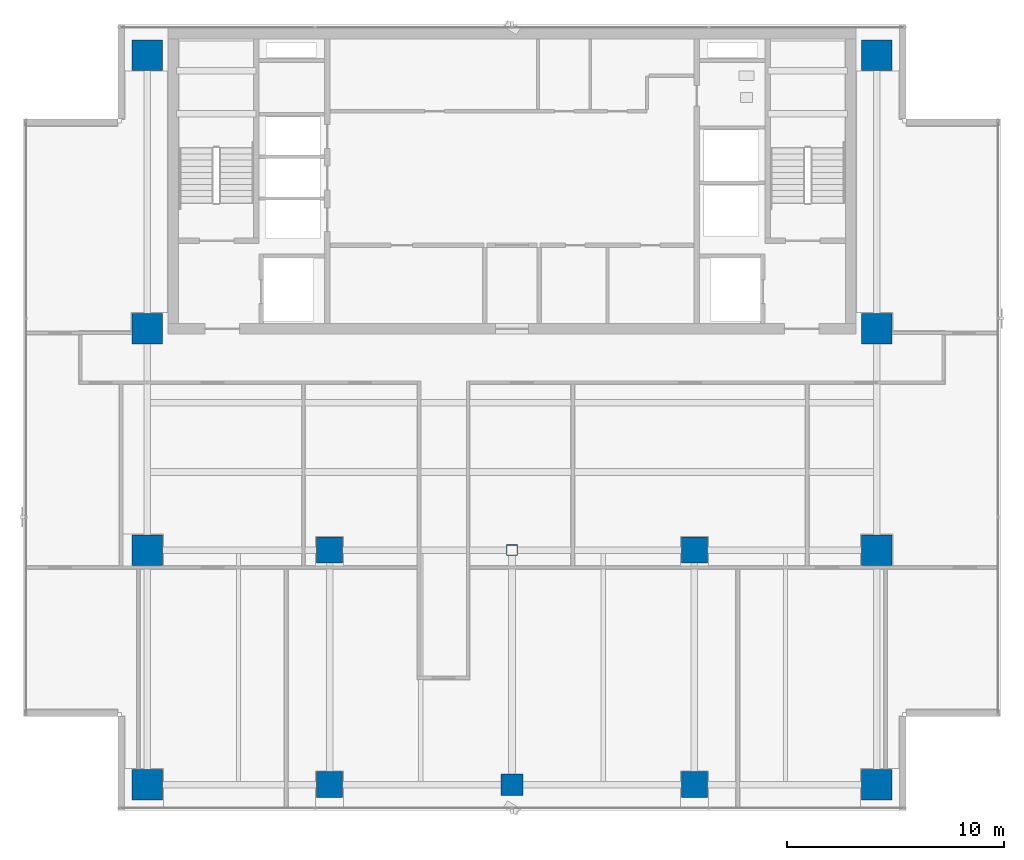
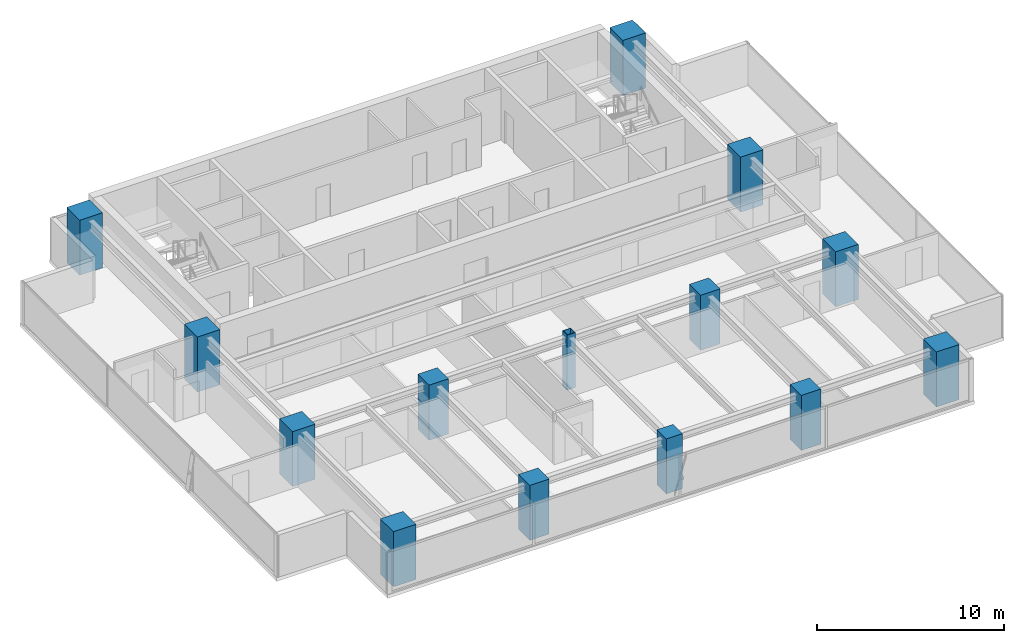
# One storey, part 1 of 25: 14 columns.
"""IFC4 building model written with IfcOpenShell, lengths in metres."""

from ifc_helpers import new_model, si_unit, direction, frame, origin, origin_with_axes, origin_2d, place, context, subcontext, project, spatial, rectangle, hollow_rectangle, extrude, source, transform, mapped, material, material_profile, profile_set, type_object, element, save


model = new_model("IFC4")

# Units and contexts
model_context = context("Model", 3, precision=1e-05, world=origin(), true_north=direction((0.0, 1.0)))
body_context = subcontext(model_context, "Body", "Model", "MODEL_VIEW")
ifc_project = project(units=[si_unit("LENGTHUNIT", "METRE"), si_unit("AREAUNIT", "SQUARE_METRE"), si_unit("VOLUMEUNIT", "CUBIC_METRE"), si_unit("PLANEANGLEUNIT", "RADIAN"), si_unit("MASSUNIT", "GRAM", prefix="KILO")], contexts=[model_context])

# Site, building, storey
site_placement = place(None, origin())
site = spatial("IfcSite", under=ifc_project, at=site_placement, CompositionType="ELEMENT")
building_placement = place(site_placement, origin())
building = spatial("IfcBuilding", under=site, at=building_placement, Name="Sumidabori Civic Tower", CompositionType="ELEMENT")
storey_placement = place(building_placement, frame((0.0, 0.0, 246.800048828125)))
storey = spatial("IfcBuildingStorey", under=building, at=storey_placement, Name="L64", CompositionType="ELEMENT", Elevation=246.800048828125)

# Columns
ifc_material_1 = material(Name="Concrete C60/75", Category="concrete")
ifc_material_profile_1 = material_profile(ifc_material_1, rectangle(XDim=1.39990234375, YDim=1.39990234375, at=origin_2d()), Name="RC 1400x1400")
ifc_profile_set_1 = profile_set([ifc_material_profile_1], Name="Concrete C60/75")
column_type_1 = type_object("IfcColumnType", Name="CL-MEGA-1400", PredefinedType="COLUMN", material=ifc_profile_set_1)
shared_shape_1 = source(origin(), body_context, "Body", "SweptSolid", [
    extrude(rectangle(XDim=1.39990234375, YDim=1.39990234375, at=origin_2d()), origin(), (0.0, 0.0, 1.0), 3.599853515625),
])
for number, where, z_axis, x_axis, name in (
    (1, (-16.800048828125, -10.800048828125, 0.0), (0.0, 0.0, 1.0), (1.0, 0.0, 0.0), "Column MC-W16-Y11S L64"),
    (2, (-16.800048828125, 0.0, 0.0), (0.0, 0.0, 1.0), (1.0, 0.0, 0.0), "Column MC-W16-Y00 L64"),
    (3, (-16.800048828125, 10.199951171875, 0.0), (0.0, 0.0, 1.0), (1.0, 0.0, 0.0), "Column MC-W16-Y10N L64"),
    (4, (-16.800048828125, 22.800048828125, 0.0), (0.0, 0.0, 1.0), (1.0, 0.0, 0.0), "Column MC-W16-Y23N L64"),
    (5, (16.800048828125, -10.800048828125, 0.0), (0.0, 0.0, 1.0), (1.0, 0.0, 0.0), "Column MC-E16-Y11S L64"),
    (6, (16.800048828125, 0.0, 0.0), (0.0, 0.0, 1.0), (1.0, 0.0, 0.0), "Column MC-E16-Y00 L64"),
    (7, (16.800048828125, 10.199951171875, 0.0), (0.0, 0.0, 1.0), (1.0, 0.0, 0.0), "Column MC-E16-Y10N L64"),
    (8, (16.800048828125, 22.800048828125, 0.0), (0.0, 0.0, 1.0), (1.0, 0.0, 0.0), "Column MC-E16-Y23N L64"),
):
    element("IfcColumn", number, at=place(storey_placement, frame(where, z_axis=z_axis, x_axis=x_axis)), inside=storey, type_object=column_type_1, Name=name, PredefinedType="COLUMN", context=body_context, shape_type="MappedRepresentation", body=[
        mapped(shared_shape_1, transform((0.0, 0.0, 0.0), x_axis=(1.0, 0.0, 0.0), y_axis=(0.0, 1.0, 0.0), z_axis=(0.0, 0.0, 1.0), scale=1.0)),
    ])
ifc_material_2 = material(Name="Concrete C50/60", Category="concrete")
ifc_material_profile_2 = material_profile(ifc_material_2, rectangle(XDim=1.0, YDim=1.0, at=origin_2d()), Name="RC 1000x1000")
ifc_profile_set_2 = profile_set([ifc_material_profile_2], Name="Concrete C50/60")
column_type_2 = type_object("IfcColumnType", Name="CL-INT-1000", PredefinedType="COLUMN", material=ifc_profile_set_2)
shared_shape_2 = source(origin(), body_context, "Body", "SweptSolid", [
    extrude(rectangle(XDim=1.0, YDim=1.0, at=origin_2d()), origin(), (0.0, 0.0, 1.0), 3.599853515625),
])
column_1_placement = place(storey_placement, frame((0.0, -10.800048828125, 0.0), z_axis=(0.0, 0.0, 1.0), x_axis=(1.0, 0.0, 0.0)))
element("IfcColumn", 9, at=column_1_placement, inside=storey, type_object=column_type_2, Name="Column MC-C00-Y11S L64", PredefinedType="COLUMN", context=body_context, shape_type="MappedRepresentation", body=[
    mapped(shared_shape_2, transform((0.0, 0.0, 0.0), x_axis=(1.0, 0.0, 0.0), y_axis=(0.0, 1.0, 0.0), z_axis=(0.0, 0.0, 1.0), scale=1.0)),
])
ifc_material_profile_3 = material_profile(ifc_material_2, rectangle(XDim=1.199951171875, YDim=1.199951171875, at=origin_2d()), Name="RC 1200x1200")
ifc_profile_set_3 = profile_set([ifc_material_profile_3], Name="Concrete C50/60")
column_type_3 = type_object("IfcColumnType", Name="CL-MEGA-1200", PredefinedType="COLUMN", material=ifc_profile_set_3)
shared_shape_3 = source(origin(), body_context, "Body", "SweptSolid", [
    extrude(rectangle(XDim=1.199951171875, YDim=1.199951171875, at=origin_2d()), origin(), (0.0, 0.0, 1.0), 3.599853515625),
])
for number, where, z_axis, x_axis, name in (
    (10, (-8.39990234375, 0.0, 0.0), (0.0, 0.0, 1.0), (1.0, 0.0, 0.0), "Column MC-W08-Y00 L64"),
    (11, (-8.39990234375, -10.800048828125, 0.0), (0.0, 0.0, 1.0), (1.0, 0.0, 0.0), "Column MC-W08-Y11S L64"),
    (12, (8.39990234375, 0.0, 0.0), (0.0, 0.0, 1.0), (1.0, 0.0, 0.0), "Column MC-E08-Y00 L64"),
    (13, (8.39990234375, -10.800048828125, 0.0), (0.0, 0.0, 1.0), (1.0, 0.0, 0.0), "Column MC-E08-Y11S L64"),
):
    element("IfcColumn", number, at=place(storey_placement, frame(where, z_axis=z_axis, x_axis=x_axis)), inside=storey, type_object=column_type_3, Name=name, PredefinedType="COLUMN", context=body_context, shape_type="MappedRepresentation", body=[
        mapped(shared_shape_3, transform((0.0, 0.0, 0.0), x_axis=(1.0, 0.0, 0.0), y_axis=(0.0, 1.0, 0.0), z_axis=(0.0, 0.0, 1.0), scale=1.0)),
    ])
ifc_material_3 = material(Name="Steel SN490", Category="steel")
ifc_material_profile_4 = material_profile(ifc_material_3, hollow_rectangle(XDim=0.5, YDim=0.5, WallThickness=0.02490234375, at=origin_2d()), Name="SHS 500x500x25")
ifc_profile_set_4 = profile_set([ifc_material_profile_4], Name="Steel SN490")
column_type_4 = type_object("IfcColumnType", Name="CL-CRN-SHS500", PredefinedType="COLUMN", material=ifc_profile_set_4)
shared_shape_4 = source(origin(), body_context, "Body", "SweptSolid", [
    extrude(hollow_rectangle(XDim=0.5, YDim=0.5, WallThickness=0.02490234375, at=origin_2d()), origin(), (0.0, 0.0, 1.0), 3.599853515625),
])
column_2_placement = place(storey_placement, origin_with_axes())
element("IfcColumn", 14, at=column_2_placement, inside=storey, type_object=column_type_4, Name="Column MC-C00-Y00 L64", PredefinedType="COLUMN", context=body_context, shape_type="MappedRepresentation", body=[
    mapped(shared_shape_4, transform((0.0, 0.0, 0.0), x_axis=(1.0, 0.0, 0.0), y_axis=(0.0, 1.0, 0.0), z_axis=(0.0, 0.0, 1.0), scale=1.0)),
])

save(model, "model.ifc")
